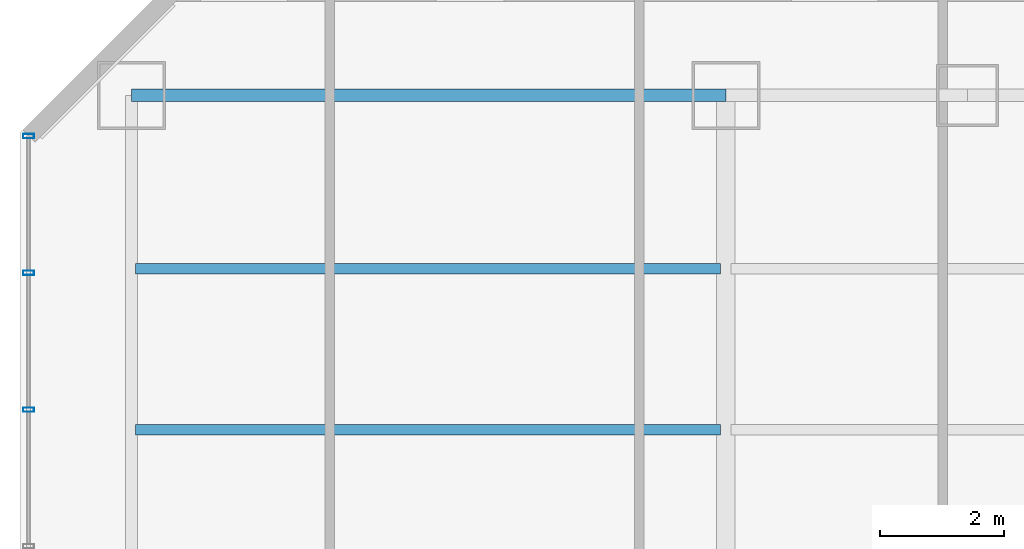
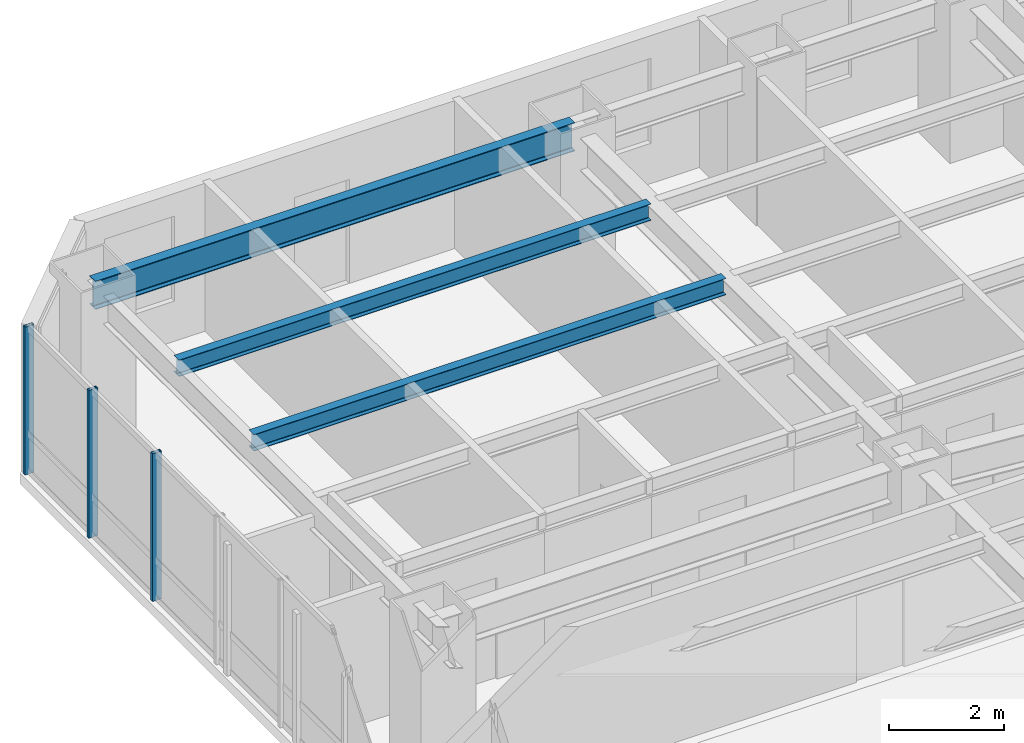
# One storey, part 16 of 33: 3 beams, 3 members, 1 element without a shape of its own.
"""IFC4 building model written with IfcOpenShell, lengths in metres."""

from ifc_helpers import new_model, si_unit, direction, frame, origin, origin_2d, place, context, subcontext, project, spatial, hollow_rectangle, i_section, extrude, material, layer, layer_set, material_profile, profile_set, type_object, element, aggregate, save


model = new_model("IFC4")

# Units and contexts
model_context = context("Model", 3, precision=1e-05, world=origin(), true_north=direction((0.0, 1.0)))
body_context = subcontext(model_context, "Body", "Model", "MODEL_VIEW")
ifc_project = project(units=[si_unit("LENGTHUNIT", "METRE"), si_unit("AREAUNIT", "SQUARE_METRE"), si_unit("VOLUMEUNIT", "CUBIC_METRE"), si_unit("PLANEANGLEUNIT", "RADIAN"), si_unit("MASSUNIT", "GRAM", prefix="KILO")], contexts=[model_context])

# Site, building, storey
site_placement = place(None, origin())
site = spatial("IfcSite", under=ifc_project, at=site_placement, CompositionType="ELEMENT")
building_placement = place(site_placement, origin())
building = spatial("IfcBuilding", under=site, at=building_placement, Name="Hatsunagi Terrace Concourse", CompositionType="ELEMENT")
storey_placement = place(building_placement, frame((0.0, 0.0, 56.699951171875)))
storey = spatial("IfcBuildingStorey", under=building, at=storey_placement, Name="L14", CompositionType="ELEMENT", Elevation=56.699951171875)

# Curtain wall, members
ifc_material_1 = material(Name="Anodised Aluminium Alloy 6063-T5", Category="aluminium")
ifc_layer = layer(ifc_material_1, 0.199951171875)
ifc_layer_set = layer_set([ifc_layer], Name="HotelFacade_CW02")
curtain_wall_type = type_object("IfcCurtainWallType", Name="HotelFacade_CW02", PredefinedType="NOTDEFINED", material=ifc_layer_set)
curtain_wall_placement = place(storey_placement, origin())
curtain_wall = element("IfcCurtainWall", 1, at=curtain_wall_placement, inside=storey, type_object=curtain_wall_type, Name="Unitised Curtain Wall CW-02 CW-L14-09", PredefinedType="NOTDEFINED")
ifc_material_2 = material(Name="Anodised Aluminium Alloy 6063-T5", Category="aluminium")
ifc_material_profile_1 = material_profile(ifc_material_2, hollow_rectangle(XDim=0.070068359375, YDim=0.179931640625, WallThickness=0.00390625, at=origin_2d()), Name="ALU-MUL-180x70x4")
ifc_profile_set_1 = profile_set([ifc_material_profile_1], Name="Anodised Aluminium Alloy 6063-T5")
member_type = type_object("IfcMemberType", Name="CurtainWallMullion_180x70", PredefinedType="MULLION", material=ifc_profile_set_1)
member_1_placement = place(storey_placement, frame((0.139892578125, 43.52490234375, 0.0), z_axis=(0.0, 0.0, 1.0), x_axis=(0.0, 1.0, 0.0)))
member_1 = element("IfcMember", 2, at=member_1_placement, type_object=member_type, Name="Curtain Wall Mullion MUL-02", PredefinedType="MULLION", context=body_context, shape_type="SweptSolid", body=[
    extrude(hollow_rectangle(XDim=0.070068359375, YDim=0.179931640625, WallThickness=0.00390625, at=origin_2d()), origin(), (0.0, 0.0, 1.0), 3.130126953125),
])
member_2_placement = place(storey_placement, frame((0.139892578125, 45.73388671875, 0.0), z_axis=(0.0, 0.0, 1.0), x_axis=(0.0, 1.0, 0.0)))
member_2 = element("IfcMember", 3, at=member_2_placement, type_object=member_type, Name="Curtain Wall Mullion MUL-02", PredefinedType="MULLION", context=body_context, shape_type="SweptSolid", body=[
    extrude(hollow_rectangle(XDim=0.070068359375, YDim=0.179931640625, WallThickness=0.00390625, at=origin_2d()), origin(), (0.0, 0.0, 1.0), 3.130126953125),
])
member_3_placement = place(storey_placement, frame((0.139892578125, 47.94189453125, 0.0), z_axis=(0.0, 0.0, 1.0), x_axis=(0.0, 1.0, 0.0)))
member_3 = element("IfcMember", 4, at=member_3_placement, type_object=member_type, Name="Curtain Wall Mullion MUL-02", PredefinedType="MULLION", context=body_context, shape_type="SweptSolid", body=[
    extrude(hollow_rectangle(XDim=0.070068359375, YDim=0.179931640625, WallThickness=0.00390625, at=origin_2d()), origin(), (0.0, 0.0, 1.0), 3.130126953125),
])
aggregate(curtain_wall, [member_1, member_2, member_3])

# Beams
ifc_material_3 = material(Name="Steel SN490B", Category="steel")
ifc_material_profile_2 = material_profile(ifc_material_3, i_section(OverallWidth=0.175048828125, OverallDepth=0.35009765625, WebThickness=0.007080078125, FlangeThickness=0.010986328125, FilletRadius=0.012939453125, at=origin_2d()), Name="H-350x175x7x11")
ifc_profile_set_2 = profile_set([ifc_material_profile_2], Name="Steel SN490B")
beam_type_1 = type_object("IfcBeamType", Name="HotelJoist_H_350x175", PredefinedType="JOIST", material=ifc_profile_set_2)
for number, where, z_axis, x_axis, name in (
    (5, (1.864990234375, 43.199951171875, 2.955078125), (1.0, 0.0, 0.0), (0.0, 1.0, 0.0), "Beam J-02 J-L14-W-1-432"),
    (6, (1.864990234375, 45.800048828125, 2.955078125), (1.0, 0.0, 0.0), (0.0, 1.0, 0.0), "Beam J-02 J-L14-W-1-458"),
):
    element("IfcBeam", number, at=place(storey_placement, frame(where, z_axis=z_axis, x_axis=x_axis)), inside=storey, type_object=beam_type_1, Name=name, PredefinedType="JOIST", context=body_context, shape_type="SweptSolid", body=[
        extrude(i_section(OverallWidth=0.175048828125, OverallDepth=0.35009765625, WebThickness=0.007080078125, FlangeThickness=0.010986328125, FilletRadius=0.012939453125, at=origin_2d()), origin(), (0.0, 0.0, 1.0), 9.449951171875),
    ])
ifc_material_4 = material(Name="Steel SN490B", Category="steel")
ifc_material_profile_3 = material_profile(ifc_material_4, i_section(OverallWidth=0.199951171875, OverallDepth=0.60009765625, WebThickness=0.010986328125, FlangeThickness=0.01708984375, FilletRadius=0.01806640625, at=origin_2d()), Name="H-600x200x11x17")
ifc_profile_set_3 = profile_set([ifc_material_profile_3], Name="Steel SN490B")
beam_type_2 = type_object("IfcBeamType", Name="PerimeterSpandrel_H_600x200", PredefinedType="SPANDREL", material=ifc_profile_set_3)
beam_placement = place(storey_placement, frame((1.800048828125, 48.60009765625, 2.830078125), z_axis=(1.0, 0.0, 0.0), x_axis=(0.0, 1.0, 0.0)))
element("IfcBeam", 7, at=beam_placement, inside=storey, type_object=beam_type_2, Name="Beam SP-01 BM-L14-WN-1", PredefinedType="SPANDREL", context=body_context, shape_type="SweptSolid", body=[
    extrude(i_section(OverallWidth=0.199951171875, OverallDepth=0.60009765625, WebThickness=0.010986328125, FlangeThickness=0.01708984375, FilletRadius=0.01806640625, at=origin_2d()), origin(), (0.0, 0.0, 1.0), 9.599853515625),
])

save(model, "model.ifc")
